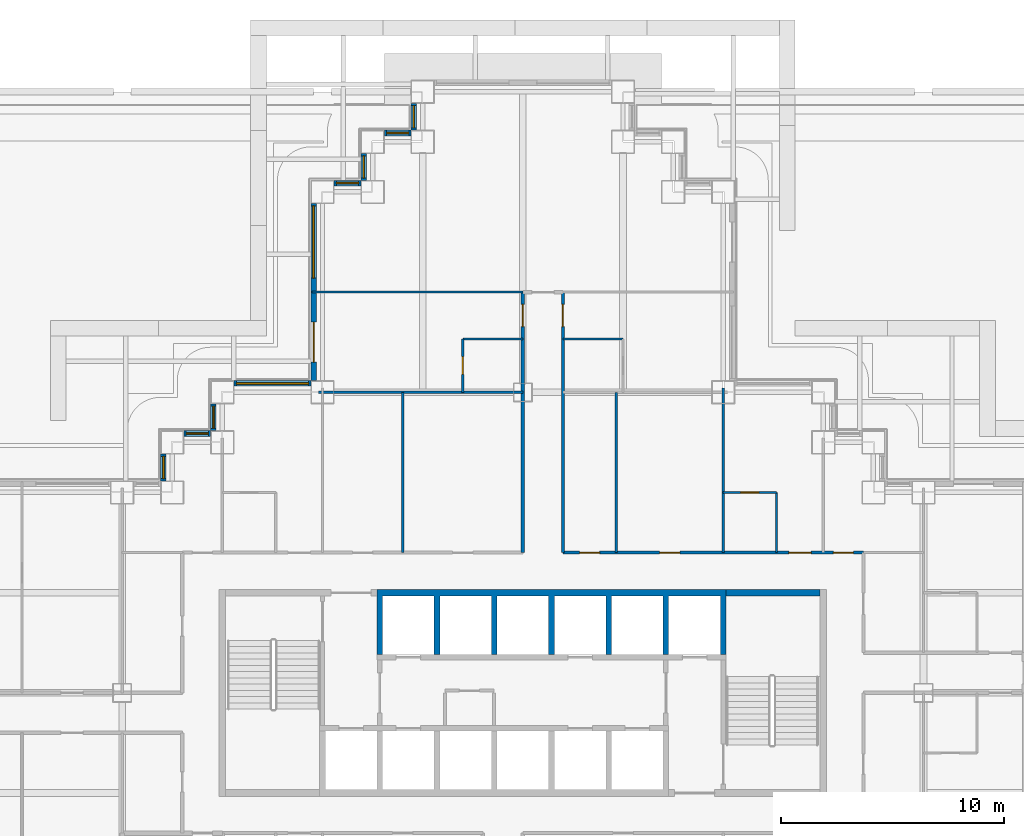
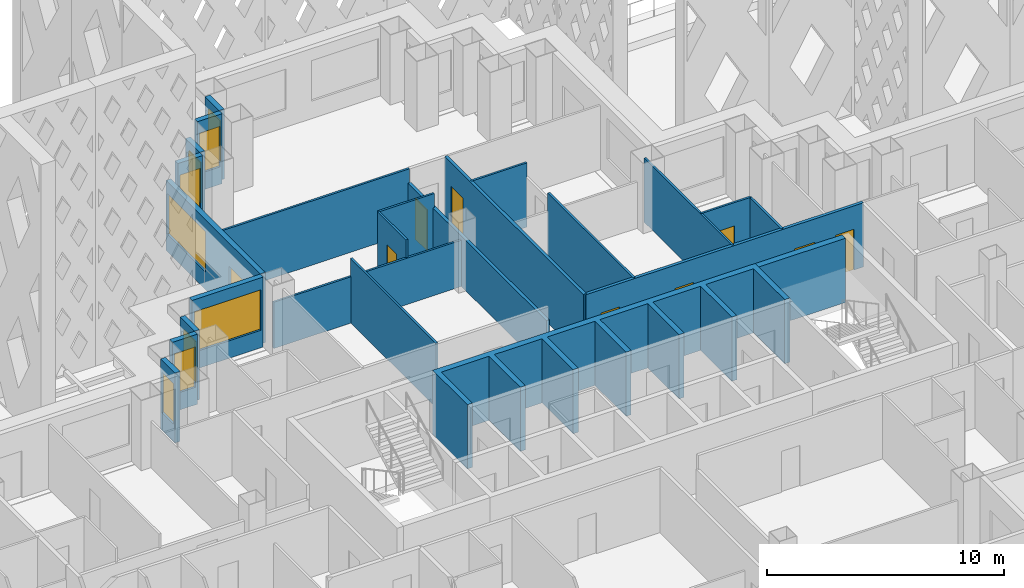
# One storey, part 8 of 26: 24 walls, 9 doors, 9 windows, 18 openings.
"""IFC4 building model written with IfcOpenShell, lengths in metres."""

from ifc_helpers import new_model, si_unit, direction, frame, frame_2d, origin, place, context, subcontext, project, spatial, polyline, rectangle, outline, extrude, material, layer, layer_set, type_object, element, fill, save


model = new_model("IFC4")

# Units and contexts
model_context = context("Model", 3, precision=1e-05, world=origin(), true_north=direction((0.0, 1.0)))
body_context = subcontext(model_context, "Body", "Model", "MODEL_VIEW")
ifc_project = project(units=[si_unit("LENGTHUNIT", "METRE"), si_unit("AREAUNIT", "SQUARE_METRE"), si_unit("VOLUMEUNIT", "CUBIC_METRE"), si_unit("PLANEANGLEUNIT", "RADIAN"), si_unit("MASSUNIT", "GRAM", prefix="KILO")], contexts=[model_context])

# Site, building, storey
site_placement = place(None, origin())
site = spatial("IfcSite", under=ifc_project, at=site_placement, CompositionType="ELEMENT")
building_placement = place(site_placement, origin())
building = spatial("IfcBuilding", under=site, at=building_placement, Name="Caravel Reach Hotel and Residences", CompositionType="ELEMENT")
storey_placement = place(building_placement, frame((0.0, 0.0, 33.60009765625)))
storey = spatial("IfcBuildingStorey", under=building, at=storey_placement, Name="L06", CompositionType="ELEMENT", Elevation=33.60009765625)

# Wall, opening, door
ifc_material_1 = material(Name="Gypsum board on steel stud", Category="steel")
ifc_layer_1 = layer(ifc_material_1, 0.10009765625)
ifc_layer_set_1 = layer_set([ifc_layer_1], Name="Bathroom pod wall 100 mm")
wall_type_1 = type_object("IfcWallType", Name="Bathroom pod wall 100 mm", PredefinedType="PARTITIONING", material=ifc_layer_set_1)
wall_1_placement = place(storey_placement, frame((40.5, 36.0, 0.0), z_axis=(0.0, 0.0, 1.0), x_axis=(1.0, 0.0, 0.0)))
wall_1 = element("IfcWall", 1, at=wall_1_placement, inside=storey, type_object=wall_type_1, Name="L06 wall w091", PredefinedType="PARTITIONING", context=body_context, shape_type="SweptSolid", body=[
    extrude(rectangle(XDim=2.39990234375, YDim=0.10009765625, at=frame_2d((1.199951171875, 0.0))), origin(), (0.0, 0.0, 1.0), 3.2998046875),
])
opening_1_placement = place(wall_1_placement, frame((0.800048828125, 0.0, 0.0)))
opening_1 = element("IfcOpeningElement", 2, at=opening_1_placement, cuts=wall_1, Name="Opening D06-047", PredefinedType="OPENING", context=body_context, shape_type="SweptSolid", body=[
    extrude(rectangle(XDim=0.800048828125, YDim=2.10009765625, at=frame_2d((0.39990234375, 1.050048828125))), frame((0.0, 0.06005859375, 0.0), z_axis=(0.0, -1.0, 0.0), x_axis=(1.0, 0.0, 0.0)), (0.0, 0.0, 1.0), 0.1201171875),
])
ifc_material_2 = material(Name="Timber and steel door leaf", Category="steel")
door_type_1 = type_object("IfcDoorType", Name="Bathroom door 800 x 2100", OperationType="SINGLE_SWING_LEFT", PredefinedType="DOOR", material=ifc_material_2)
door_1_placement = place(opening_1_placement, origin())
door_1 = element("IfcDoor", 3, at=door_1_placement, inside=storey, type_object=door_type_1, Name="door D06-047", OperationType="SINGLE_SWING_LEFT", OverallHeight=2.10009765625, OverallWidth=0.800048828125, PredefinedType="DOOR", context=body_context, shape_type="SweptSolid", body=[
    extrude(rectangle(XDim=0.800048828125, YDim=2.10009765625, at=frame_2d((0.39990234375, 1.050048828125))), frame((0.0, 0.02490234375, 0.0), z_axis=(0.0, -1.0, 0.0), x_axis=(1.0, 0.0, 0.0)), (0.0, 0.0, 1.0), 0.050048828125),
])
fill(opening_1, door_1)

# Walls
for number, where, z_axis, x_axis, name in (
    (4, (33.300048828125, 42.89990234375, 0.0), (0.0, 0.0, 1.0), (1.0, 0.0, 0.0), "L06 wall w092"),
    (5, (28.800048828125, 42.89990234375, 0.0), (0.0, 0.0, 1.0), (1.0, 0.0, 0.0), "L06 wall w093"),
):
    element("IfcWall", number, at=place(storey_placement, frame(where, z_axis=z_axis, x_axis=x_axis)), inside=storey, type_object=wall_type_1, Name=name, PredefinedType="PARTITIONING", context=body_context, shape_type="SweptSolid", body=[
        extrude(rectangle(XDim=2.699951171875, YDim=0.10009765625, at=frame_2d((1.35009765625, 0.0))), origin(), (0.0, 0.0, 1.0), 3.2998046875),
    ])

# Wall, opening, door
wall_2_placement = place(storey_placement, frame((28.800048828125, 40.5, 0.0), z_axis=(0.0, 0.0, 1.0), x_axis=(0.0, 1.0, 0.0)))
wall_2 = element("IfcWall", 6, at=wall_2_placement, inside=storey, type_object=wall_type_1, Name="L06 wall w102", PredefinedType="PARTITIONING", context=body_context, shape_type="SweptSolid", body=[
    extrude(rectangle(XDim=2.39990234375, YDim=0.10009765625, at=frame_2d((1.199951171875, 0.0))), origin(), (0.0, 0.0, 1.0), 3.2998046875),
])
opening_2_placement = place(wall_2_placement, frame((0.800048828125, 0.0, 0.0)))
opening_2 = element("IfcOpeningElement", 7, at=opening_2_placement, cuts=wall_2, Name="Opening D06-026", PredefinedType="OPENING", context=body_context, shape_type="SweptSolid", body=[
    extrude(rectangle(XDim=0.800048828125, YDim=2.10009765625, at=frame_2d((0.39990234375, 1.050048828125))), frame((0.0, 0.06005859375, 0.0), z_axis=(0.0, -1.0, 0.0), x_axis=(1.0, 0.0, 0.0)), (0.0, 0.0, 1.0), 0.1201171875),
])
door_2_placement = place(opening_2_placement, origin())
door_2 = element("IfcDoor", 8, at=door_2_placement, inside=storey, type_object=door_type_1, Name="door D06-026", OperationType="SINGLE_SWING_RIGHT", OverallHeight=2.10009765625, OverallWidth=0.800048828125, PredefinedType="DOOR", context=body_context, shape_type="SweptSolid", body=[
    extrude(rectangle(XDim=0.800048828125, YDim=2.10009765625, at=frame_2d((0.39990234375, 1.050048828125))), frame((0.0, 0.02490234375, 0.0), z_axis=(0.0, -1.0, 0.0), x_axis=(1.0, 0.0, 0.0)), (0.0, 0.0, 1.0), 0.050048828125),
])
fill(opening_2, door_2)

# Walls
wall_3_placement = place(storey_placement, frame((42.89990234375, 33.300048828125, 0.0), z_axis=(0.0, 0.0, 1.0), x_axis=(0.0, 1.0, 0.0)))
element("IfcWall", 9, at=wall_3_placement, inside=storey, type_object=wall_type_1, Name="L06 wall w107", PredefinedType="PARTITIONING", context=body_context, shape_type="SweptSolid", body=[
    extrude(rectangle(XDim=2.699951171875, YDim=0.10009765625, at=frame_2d((1.35009765625, 0.0))), origin(), (0.0, 0.0, 1.0), 3.2998046875),
])
ifc_material_3 = material(Name="Concrete C60", Category="concrete")
ifc_layer_2 = layer(ifc_material_3, 0.300048828125)
ifc_layer_set_2 = layer_set([ifc_layer_2], Name="Core wall 300 mm EI 120")
wall_type_2 = type_object("IfcWallType", Name="Core wall 300 mm EI 120", PredefinedType="SHEAR", material=ifc_layer_set_2)
wall_4_placement = place(storey_placement, frame((40.625, 31.5, 0.0), z_axis=(0.0, 0.0, 1.0), x_axis=(1.0, 0.0, 0.0)))
element("IfcWall", 10, at=wall_4_placement, inside=storey, type_object=wall_type_2, Name="L06 core wall N2", PredefinedType="SHEAR", context=body_context, shape_type="SweptSolid", body=[
    extrude(rectangle(XDim=4.22509765625, YDim=0.300048828125, at=frame_2d((2.112548828125, 0.0))), origin(), (0.0, 0.0, 1.0), 3.2998046875),
])

# Wall, openings, doors
ifc_material_4 = material(Name="Gypsum board on steel stud, fire-rated", Category="steel")
ifc_layer_3 = layer(ifc_material_4, 0.14990234375)
ifc_layer_set_3 = layer_set([ifc_layer_3], Name="Corridor wall 150 mm EI 60")
wall_type_3 = type_object("IfcWallType", Name="Corridor wall 150 mm EI 60", PredefinedType="PARTITIONING", material=ifc_layer_set_3)
wall_5_placement = place(storey_placement, frame((33.300048828125, 33.300048828125, 0.0), z_axis=(0.0, 0.0, 1.0), x_axis=(1.0, 0.0, 0.0)))
wall_5 = element("IfcWall", 11, at=wall_5_placement, inside=storey, type_object=wall_type_3, Name="L06 wall w020", PredefinedType="PARTITIONING", context=body_context, shape_type="SweptSolid", body=[
    extrude(rectangle(XDim=13.5, YDim=0.14990234375, at=frame_2d((6.75, 0.0))), origin(), (0.0, 0.0, 1.0), 3.2998046875),
])
opening_3_placement = place(wall_5_placement, frame((10.14990234375, 0.0, 0.0)))
opening_3 = element("IfcOpeningElement", 12, at=opening_3_placement, cuts=wall_5, Name="Opening D06-046", PredefinedType="OPENING", context=body_context, shape_type="SweptSolid", body=[
    extrude(rectangle(XDim=1.0, YDim=2.10009765625, at=frame_2d((0.5, 1.050048828125))), frame((0.0, 0.0849609375, 0.0), z_axis=(0.0, -1.0, 0.0), x_axis=(1.0, 0.0, 0.0)), (0.0, 0.0, 1.0), 0.169921875),
])
opening_4_placement = place(wall_5_placement, frame((12.14990234375, 0.0, 0.0)))
opening_4 = element("IfcOpeningElement", 13, at=opening_4_placement, cuts=wall_5, Name="Opening D06-048", PredefinedType="OPENING", context=body_context, shape_type="SweptSolid", body=[
    extrude(rectangle(XDim=0.89990234375, YDim=2.10009765625, at=frame_2d((0.449951171875, 1.050048828125))), frame((0.0, 0.0849609375, 0.0), z_axis=(0.0, -1.0, 0.0), x_axis=(1.0, 0.0, 0.0)), (0.0, 0.0, 1.0), 0.169921875),
])
opening_5_placement = place(wall_5_placement, frame((0.75, 0.0, 0.0)))
opening_5 = element("IfcOpeningElement", 14, at=opening_5_placement, cuts=wall_5, Name="Opening D06-057", PredefinedType="OPENING", context=body_context, shape_type="SweptSolid", body=[
    extrude(rectangle(XDim=0.89990234375, YDim=2.10009765625, at=frame_2d((0.449951171875, 1.050048828125))), frame((0.0, 0.0849609375, 0.0), z_axis=(0.0, -1.0, 0.0), x_axis=(1.0, 0.0, 0.0)), (0.0, 0.0, 1.0), 0.169921875),
])
opening_6_placement = place(wall_5_placement, frame((4.349853515625, 0.0, 0.0)))
opening_6 = element("IfcOpeningElement", 15, at=opening_6_placement, cuts=wall_5, Name="Opening D06-058", PredefinedType="OPENING", context=body_context, shape_type="SweptSolid", body=[
    extrude(rectangle(XDim=0.89990234375, YDim=2.10009765625, at=frame_2d((0.449951171875, 1.050048828125))), frame((0.0, 0.0849609375, 0.0), z_axis=(0.0, -1.0, 0.0), x_axis=(1.0, 0.0, 0.0)), (0.0, 0.0, 1.0), 0.169921875),
])
ifc_material_5 = material(Name="Timber and steel door leaf", Category="steel")
door_type_2 = type_object("IfcDoorType", Name="Door 900 x 2100 timber", OperationType="SINGLE_SWING_LEFT", PredefinedType="DOOR", material=ifc_material_5)
door_3_placement = place(opening_4_placement, origin())
door_3 = element("IfcDoor", 16, at=door_3_placement, inside=storey, type_object=door_type_2, Name="door D06-048", OperationType="SINGLE_SWING_LEFT", OverallHeight=2.10009765625, OverallWidth=0.89990234375, PredefinedType="DOOR", context=body_context, shape_type="SweptSolid", body=[
    extrude(rectangle(XDim=0.89990234375, YDim=2.10009765625, at=frame_2d((0.449951171875, 1.050048828125))), frame((0.0, 0.02490234375, 0.0), z_axis=(0.0, -1.0, 0.0), x_axis=(1.0, 0.0, 0.0)), (0.0, 0.0, 1.0), 0.050048828125),
])
fill(opening_4, door_3)
door_4_placement = place(opening_5_placement, origin())
door_4 = element("IfcDoor", 17, at=door_4_placement, inside=storey, type_object=door_type_2, Name="door D06-057", OperationType="SINGLE_SWING_RIGHT", OverallHeight=2.10009765625, OverallWidth=0.89990234375, PredefinedType="DOOR", context=body_context, shape_type="SweptSolid", body=[
    extrude(rectangle(XDim=0.89990234375, YDim=2.10009765625, at=frame_2d((0.449951171875, 1.050048828125))), frame((0.0, 0.02490234375, 0.0), z_axis=(0.0, -1.0, 0.0), x_axis=(1.0, 0.0, 0.0)), (0.0, 0.0, 1.0), 0.050048828125),
])
fill(opening_5, door_4)
door_5_placement = place(opening_6_placement, origin())
door_5 = element("IfcDoor", 18, at=door_5_placement, inside=storey, type_object=door_type_2, Name="door D06-058", OperationType="SINGLE_SWING_LEFT", OverallHeight=2.10009765625, OverallWidth=0.89990234375, PredefinedType="DOOR", context=body_context, shape_type="SweptSolid", body=[
    extrude(rectangle(XDim=0.89990234375, YDim=2.10009765625, at=frame_2d((0.449951171875, 1.050048828125))), frame((0.0, 0.02490234375, 0.0), z_axis=(0.0, -1.0, 0.0), x_axis=(1.0, 0.0, 0.0)), (0.0, 0.0, 1.0), 0.050048828125),
])
fill(opening_6, door_5)
ifc_material_6 = material(Name="Steel fire door leaf", Category="steel")
door_type_3 = type_object("IfcDoorType", Name="Guest room door 1000 x 2100 EI 30", OperationType="SINGLE_SWING_LEFT", PredefinedType="DOOR", material=ifc_material_6)
door_6_placement = place(opening_3_placement, origin())
door_6 = element("IfcDoor", 19, at=door_6_placement, inside=storey, type_object=door_type_3, Name="door D06-046", OperationType="SINGLE_SWING_RIGHT", OverallHeight=2.10009765625, OverallWidth=1.0, PredefinedType="DOOR", context=body_context, shape_type="SweptSolid", body=[
    extrude(rectangle(XDim=1.0, YDim=2.10009765625, at=frame_2d((0.5, 1.050048828125))), frame((0.0, 0.02490234375, 0.0), z_axis=(0.0, -1.0, 0.0), x_axis=(1.0, 0.0, 0.0)), (0.0, 0.0, 1.0), 0.050048828125),
])
fill(opening_3, door_6)

# Wall, opening, door
wall_6_placement = place(storey_placement, frame((31.5, 33.300048828125, 0.0), z_axis=(0.0, 0.0, 1.0), x_axis=(0.0, 1.0, 0.0)))
wall_6 = element("IfcWall", 20, at=wall_6_placement, inside=storey, type_object=wall_type_3, Name="L06 wall w034", PredefinedType="PARTITIONING", context=body_context, shape_type="SweptSolid", body=[
    extrude(rectangle(XDim=11.699951171875, YDim=0.14990234375, at=frame_2d((5.85009765625, 0.0))), origin(), (0.0, 0.0, 1.0), 2.579833984375),
])
opening_7_placement = place(wall_6_placement, frame((10.14990234375, 0.0, 0.0)))
opening_7 = element("IfcOpeningElement", 21, at=opening_7_placement, cuts=wall_6, Name="Opening D06-025", PredefinedType="OPENING", context=body_context, shape_type="SweptSolid", body=[
    extrude(rectangle(XDim=1.0, YDim=2.10009765625, at=frame_2d((0.5, 1.050048828125))), frame((0.0, 0.0849609375, 0.0), z_axis=(0.0, -1.0, 0.0), x_axis=(1.0, 0.0, 0.0)), (0.0, 0.0, 1.0), 0.169921875),
])
door_7_placement = place(opening_7_placement, origin())
door_7 = element("IfcDoor", 22, at=door_7_placement, inside=storey, type_object=door_type_3, Name="door D06-025", OperationType="SINGLE_SWING_RIGHT", OverallHeight=2.10009765625, OverallWidth=1.0, PredefinedType="DOOR", context=body_context, shape_type="SweptSolid", body=[
    extrude(rectangle(XDim=1.0, YDim=2.10009765625, at=frame_2d((0.5, 1.050048828125))), frame((0.0, 0.02490234375, 0.0), z_axis=(0.0, -1.0, 0.0), x_axis=(1.0, 0.0, 0.0)), (0.0, 0.0, 1.0), 0.050048828125),
])
fill(opening_7, door_7)

wall_7_placement = place(storey_placement, frame((33.300048828125, 33.300048828125, 0.0), z_axis=(0.0, 0.0, 1.0), x_axis=(0.0, 1.0, 0.0)))
wall_7 = element("IfcWall", 23, at=wall_7_placement, inside=storey, type_object=wall_type_3, Name="L06 wall w037", PredefinedType="PARTITIONING", context=body_context, shape_type="SweptSolid", body=[
    extrude(rectangle(XDim=11.699951171875, YDim=0.14990234375, at=frame_2d((5.85009765625, 0.0))), origin(), (0.0, 0.0, 1.0), 3.2998046875),
])
opening_8_placement = place(wall_7_placement, frame((10.14990234375, 0.0, 0.0)))
opening_8 = element("IfcOpeningElement", 24, at=opening_8_placement, cuts=wall_7, Name="Opening D06-027", PredefinedType="OPENING", context=body_context, shape_type="SweptSolid", body=[
    extrude(rectangle(XDim=1.0, YDim=2.10009765625, at=frame_2d((0.5, 1.050048828125))), frame((0.0, 0.0849609375, 0.0), z_axis=(0.0, -1.0, 0.0), x_axis=(1.0, 0.0, 0.0)), (0.0, 0.0, 1.0), 0.169921875),
])
door_8_placement = place(opening_8_placement, origin())
door_8 = element("IfcDoor", 25, at=door_8_placement, inside=storey, type_object=door_type_3, Name="door D06-027", OperationType="SINGLE_SWING_RIGHT", OverallHeight=2.10009765625, OverallWidth=1.0, PredefinedType="DOOR", context=body_context, shape_type="SweptSolid", body=[
    extrude(rectangle(XDim=1.0, YDim=2.10009765625, at=frame_2d((0.5, 1.050048828125))), frame((0.0, 0.02490234375, 0.0), z_axis=(0.0, -1.0, 0.0), x_axis=(1.0, 0.0, 0.0)), (0.0, 0.0, 1.0), 0.050048828125),
])
fill(opening_8, door_8)

# Wall, opening, window
ifc_material_7 = material(Name="Insulated rainscreen wall, aluminium cladding", Category="aluminium")
ifc_layer_4 = layer(ifc_material_7, 0.25)
ifc_layer_set_4 = layer_set([ifc_layer_4], Name="EW1 Tower rainscreen wall")
wall_type_4 = type_object("IfcWallType", Name="EW1 Tower rainscreen wall", PredefinedType="SOLIDWALL", material=ifc_layer_set_4)
wall_8_placement = place(storey_placement, frame((26.60009765625, 53.47509765625, 0.0), z_axis=(0.0, 0.0, 1.0), x_axis=(0.0, -1.0, 0.0)))
wall_8 = element("IfcWall", 26, at=wall_8_placement, inside=storey, type_object=wall_type_4, Name="External wall L06 W36.1", PredefinedType="SOLIDWALL", context=body_context, shape_type="SweptSolid", body=[
    extrude(rectangle(XDim=1.2001953125, YDim=0.25, at=frame_2d((0.60009765625, 0.0))), origin(), (0.0, 0.0, 1.0), 3.599853515625),
])
opening_9_placement = place(wall_8_placement, frame((0.10009765625, 0.0, 0.89990234375)))
opening_9 = element("IfcOpeningElement", 27, at=opening_9_placement, cuts=wall_8, Name="Opening WN1", PredefinedType="OPENING", context=body_context, shape_type="SweptSolid", body=[
    extrude(rectangle(XDim=1.0, YDim=2.080078125, at=frame_2d((0.5, 1.0400390625))), frame((0.0, 0.135009765625, 0.0), z_axis=(0.0, -1.0, 0.0), x_axis=(1.0, 0.0, 0.0)), (0.0, 0.0, 1.0), 0.27001953125),
])
ifc_material_8 = material(Name="Dark low-e glazing in black aluminium frame", Category="aluminium")
window_type_1 = type_object("IfcWindowType", Name="Hotel suite corner window 1000 x 2080", PartitioningType="SINGLE_PANEL", PredefinedType="WINDOW", material=ifc_material_8)
window_1_placement = place(opening_9_placement, origin())
window_1 = element("IfcWindow", 28, at=window_1_placement, inside=storey, type_object=window_type_1, Name="Window L06 W36.1.1", OverallHeight=2.080078125, OverallWidth=1.0, PartitioningType="SINGLE_PANEL", PredefinedType="WINDOW", context=body_context, shape_type="SweptSolid", body=[
    extrude(rectangle(XDim=1.0, YDim=2.080078125, at=frame_2d((0.5, 1.0400390625))), frame((0.0, 0.030029296875, 0.0), z_axis=(0.0, -1.0, 0.0), x_axis=(1.0, 0.0, 0.0)), (0.0, 0.0, 1.0), 0.06005859375),
])
fill(opening_9, window_1)

wall_9_placement = place(storey_placement, frame((26.47509765625, 52.14990234375, 0.0), z_axis=(0.0, 0.0, 1.0), x_axis=(-1.0, 0.0, 0.0)))
wall_9 = element("IfcWall", 29, at=wall_9_placement, inside=storey, type_object=wall_type_4, Name="External wall L06 N37.1", PredefinedType="SOLIDWALL", context=body_context, shape_type="SweptSolid", body=[
    extrude(rectangle(XDim=1.2001953125, YDim=0.25, at=frame_2d((0.60009765625, 0.0))), origin(), (0.0, 0.0, 1.0), 3.599853515625),
])
opening_10_placement = place(wall_9_placement, frame((0.10009765625, 0.0, 0.89990234375)))
opening_10 = element("IfcOpeningElement", 30, at=opening_10_placement, cuts=wall_9, Name="Opening WN1", PredefinedType="OPENING", context=body_context, shape_type="SweptSolid", body=[
    extrude(rectangle(XDim=1.0, YDim=2.080078125, at=frame_2d((0.5, 1.0400390625))), frame((0.0, 0.135009765625, 0.0), z_axis=(0.0, -1.0, 0.0), x_axis=(1.0, 0.0, 0.0)), (0.0, 0.0, 1.0), 0.27001953125),
])
window_2_placement = place(opening_10_placement, origin())
window_2 = element("IfcWindow", 31, at=window_2_placement, inside=storey, type_object=window_type_1, Name="Window L06 N37.1.1", OverallHeight=2.080078125, OverallWidth=1.0, PartitioningType="SINGLE_PANEL", PredefinedType="WINDOW", context=body_context, shape_type="SweptSolid", body=[
    extrude(rectangle(XDim=1.0, YDim=2.080078125, at=frame_2d((0.5, 1.0400390625))), frame((0.0, 0.030029296875, 0.0), z_axis=(0.0, -1.0, 0.0), x_axis=(1.0, 0.0, 0.0)), (0.0, 0.0, 1.0), 0.06005859375),
])
fill(opening_10, window_2)

wall_10_placement = place(storey_placement, frame((24.35009765625, 51.22509765625, 0.0), z_axis=(0.0, 0.0, 1.0), x_axis=(0.0, -1.0, 0.0)))
wall_10 = element("IfcWall", 32, at=wall_10_placement, inside=storey, type_object=wall_type_4, Name="External wall L06 W38.1", PredefinedType="SOLIDWALL", context=body_context, shape_type="SweptSolid", body=[
    extrude(rectangle(XDim=1.2001953125, YDim=0.25, at=frame_2d((0.60009765625, 0.0))), origin(), (0.0, 0.0, 1.0), 3.599853515625),
])
opening_11_placement = place(wall_10_placement, frame((0.10009765625, 0.0, 0.89990234375)))
opening_11 = element("IfcOpeningElement", 33, at=opening_11_placement, cuts=wall_10, Name="Opening WN1", PredefinedType="OPENING", context=body_context, shape_type="SweptSolid", body=[
    extrude(rectangle(XDim=1.0, YDim=2.080078125, at=frame_2d((0.5, 1.0400390625))), frame((0.0, 0.135009765625, 0.0), z_axis=(0.0, -1.0, 0.0), x_axis=(1.0, 0.0, 0.0)), (0.0, 0.0, 1.0), 0.27001953125),
])
window_3_placement = place(opening_11_placement, origin())
window_3 = element("IfcWindow", 34, at=window_3_placement, inside=storey, type_object=window_type_1, Name="Window L06 W38.1.1", OverallHeight=2.080078125, OverallWidth=1.0, PartitioningType="SINGLE_PANEL", PredefinedType="WINDOW", context=body_context, shape_type="SweptSolid", body=[
    extrude(rectangle(XDim=1.0, YDim=2.080078125, at=frame_2d((0.5, 1.0400390625))), frame((0.0, 0.030029296875, 0.0), z_axis=(0.0, -1.0, 0.0), x_axis=(1.0, 0.0, 0.0)), (0.0, 0.0, 1.0), 0.06005859375),
])
fill(opening_11, window_3)

wall_11_placement = place(storey_placement, frame((24.22509765625, 49.89990234375, 0.0), z_axis=(0.0, 0.0, 1.0), x_axis=(-1.0, 0.0, 0.0)))
wall_11 = element("IfcWall", 35, at=wall_11_placement, inside=storey, type_object=wall_type_4, Name="External wall L06 N39.1", PredefinedType="SOLIDWALL", context=body_context, shape_type="SweptSolid", body=[
    extrude(rectangle(XDim=1.2001953125, YDim=0.25, at=frame_2d((0.60009765625, 0.0))), origin(), (0.0, 0.0, 1.0), 3.599853515625),
])
opening_12_placement = place(wall_11_placement, frame((0.10009765625, 0.0, 0.89990234375)))
opening_12 = element("IfcOpeningElement", 36, at=opening_12_placement, cuts=wall_11, Name="Opening WN1", PredefinedType="OPENING", context=body_context, shape_type="SweptSolid", body=[
    extrude(rectangle(XDim=1.0, YDim=2.080078125, at=frame_2d((0.5, 1.0400390625))), frame((0.0, 0.135009765625, 0.0), z_axis=(0.0, -1.0, 0.0), x_axis=(1.0, 0.0, 0.0)), (0.0, 0.0, 1.0), 0.27001953125),
])
window_4_placement = place(opening_12_placement, origin())
window_4 = element("IfcWindow", 37, at=window_4_placement, inside=storey, type_object=window_type_1, Name="Window L06 N39.1.1", OverallHeight=2.080078125, OverallWidth=1.0, PartitioningType="SINGLE_PANEL", PredefinedType="WINDOW", context=body_context, shape_type="SweptSolid", body=[
    extrude(rectangle(XDim=1.0, YDim=2.080078125, at=frame_2d((0.5, 1.0400390625))), frame((0.0, 0.030029296875, 0.0), z_axis=(0.0, -1.0, 0.0), x_axis=(1.0, 0.0, 0.0)), (0.0, 0.0, 1.0), 0.06005859375),
])
fill(opening_12, window_4)

# Wall, openings, window, door
wall_12_placement = place(storey_placement, frame((22.10009765625, 48.97509765625, 0.0), z_axis=(0.0, 0.0, 1.0), x_axis=(0.0, -1.0, 0.0)))
wall_12 = element("IfcWall", 38, at=wall_12_placement, inside=storey, type_object=wall_type_4, Name="External wall L06 W40.1", PredefinedType="SOLIDWALL", context=body_context, shape_type="SweptSolid", body=[
    extrude(rectangle(XDim=7.9501953125, YDim=0.25, at=frame_2d((3.97509765625, 0.0))), origin(), (0.0, 0.0, 1.0), 3.599853515625),
])
opening_13_placement = place(wall_12_placement, frame((0.10009765625, 0.0, 0.89990234375)))
opening_13 = element("IfcOpeningElement", 39, at=opening_13_placement, cuts=wall_12, Name="Opening WN2", PredefinedType="OPENING", context=body_context, shape_type="SweptSolid", body=[
    extrude(rectangle(XDim=3.25, YDim=2.080078125, at=frame_2d((1.625, 1.0400390625))), frame((0.0, 0.135009765625, 0.0), z_axis=(0.0, -1.0, 0.0), x_axis=(1.0, 0.0, 0.0)), (0.0, 0.0, 1.0), 0.27001953125),
])
opening_14_placement = place(wall_12_placement, frame((5.324951171875, 0.0, 0.0)))
opening_14 = element("IfcOpeningElement", 40, at=opening_14_placement, cuts=wall_12, Name="Opening D06-806", PredefinedType="OPENING", context=body_context, shape_type="SweptSolid", body=[
    extrude(rectangle(XDim=1.800048828125, YDim=2.39990234375, at=frame_2d((0.89990234375, 1.199951171875))), frame((0.0, 0.135009765625, 0.0), z_axis=(0.0, -1.0, 0.0), x_axis=(1.0, 0.0, 0.0)), (0.0, 0.0, 1.0), 0.27001953125),
])
ifc_material_9 = material(Name="Dark low-e glazing in black aluminium frame", Category="aluminium")
window_type_2 = type_object("IfcWindowType", Name="Hotel guest room window 3250 x 2080", PartitioningType="SINGLE_PANEL", PredefinedType="WINDOW", material=ifc_material_9)
window_5_placement = place(opening_13_placement, origin())
window_5 = element("IfcWindow", 41, at=window_5_placement, inside=storey, type_object=window_type_2, Name="Window L06 W40.1.1", OverallHeight=2.080078125, OverallWidth=3.25, PartitioningType="SINGLE_PANEL", PredefinedType="WINDOW", context=body_context, shape_type="SweptSolid", body=[
    extrude(rectangle(XDim=3.25, YDim=2.080078125, at=frame_2d((1.625, 1.0400390625))), frame((0.0, 0.030029296875, 0.0), z_axis=(0.0, -1.0, 0.0), x_axis=(1.0, 0.0, 0.0)), (0.0, 0.0, 1.0), 0.06005859375),
])
fill(opening_13, window_5)
ifc_material_10 = material(Name="Dark glazed door in black aluminium frame", Category="aluminium")
door_type_4 = type_object("IfcDoorType", Name="Terrace door 1800 x 2400", OperationType="DOUBLE_DOOR_SINGLE_SWING", PredefinedType="DOOR", material=ifc_material_10)
door_9_placement = place(opening_14_placement, origin())
door_9 = element("IfcDoor", 42, at=door_9_placement, inside=storey, type_object=door_type_4, Name="Door D06-806", OperationType="DOUBLE_DOOR_SINGLE_SWING", OverallHeight=2.39990234375, OverallWidth=1.800048828125, PredefinedType="DOOR", context=body_context, shape_type="SweptSolid", body=[
    extrude(rectangle(XDim=1.800048828125, YDim=2.39990234375, at=frame_2d((0.89990234375, 1.199951171875))), frame((0.0, 0.02490234375, 0.0), z_axis=(0.0, -1.0, 0.0), x_axis=(1.0, 0.0, 0.0)), (0.0, 0.0, 1.0), 0.050048828125),
])
fill(opening_14, door_9)

# Wall, opening, window
wall_13_placement = place(storey_placement, frame((21.97509765625, 40.89990234375, 0.0), z_axis=(0.0, 0.0, 1.0), x_axis=(-1.0, 0.0, 0.0)))
wall_13 = element("IfcWall", 43, at=wall_13_placement, inside=storey, type_object=wall_type_4, Name="External wall L06 N41.1", PredefinedType="SOLIDWALL", context=body_context, shape_type="SweptSolid", body=[
    extrude(rectangle(XDim=3.4501953125, YDim=0.25, at=frame_2d((1.72509765625, 0.0))), origin(), (0.0, 0.0, 1.0), 3.599853515625),
])
opening_15_placement = place(wall_13_placement, frame((0.10009765625, 0.0, 0.89990234375)))
opening_15 = element("IfcOpeningElement", 44, at=opening_15_placement, cuts=wall_13, Name="Opening WN2", PredefinedType="OPENING", context=body_context, shape_type="SweptSolid", body=[
    extrude(rectangle(XDim=3.25, YDim=2.080078125, at=frame_2d((1.625, 1.0400390625))), frame((0.0, 0.135009765625, 0.0), z_axis=(0.0, -1.0, 0.0), x_axis=(1.0, 0.0, 0.0)), (0.0, 0.0, 1.0), 0.27001953125),
])
window_6_placement = place(opening_15_placement, origin())
window_6 = element("IfcWindow", 45, at=window_6_placement, inside=storey, type_object=window_type_2, Name="Window L06 N41.1.1", OverallHeight=2.080078125, OverallWidth=3.25, PartitioningType="SINGLE_PANEL", PredefinedType="WINDOW", context=body_context, shape_type="SweptSolid", body=[
    extrude(rectangle(XDim=3.25, YDim=2.080078125, at=frame_2d((1.625, 1.0400390625))), frame((0.0, 0.030029296875, 0.0), z_axis=(0.0, -1.0, 0.0), x_axis=(1.0, 0.0, 0.0)), (0.0, 0.0, 1.0), 0.06005859375),
])
fill(opening_15, window_6)

wall_14_placement = place(storey_placement, frame((17.60009765625, 39.97509765625, 0.0), z_axis=(0.0, 0.0, 1.0), x_axis=(0.0, -1.0, 0.0)))
wall_14 = element("IfcWall", 46, at=wall_14_placement, inside=storey, type_object=wall_type_4, Name="External wall L06 W42.1", PredefinedType="SOLIDWALL", context=body_context, shape_type="SweptSolid", body=[
    extrude(rectangle(XDim=1.2001953125, YDim=0.25, at=frame_2d((0.60009765625, 0.0))), origin(), (0.0, 0.0, 1.0), 3.599853515625),
])
opening_16_placement = place(wall_14_placement, frame((0.10009765625, 0.0, 0.89990234375)))
opening_16 = element("IfcOpeningElement", 47, at=opening_16_placement, cuts=wall_14, Name="Opening WN1", PredefinedType="OPENING", context=body_context, shape_type="SweptSolid", body=[
    extrude(rectangle(XDim=1.0, YDim=2.080078125, at=frame_2d((0.5, 1.0400390625))), frame((0.0, 0.135009765625, 0.0), z_axis=(0.0, -1.0, 0.0), x_axis=(1.0, 0.0, 0.0)), (0.0, 0.0, 1.0), 0.27001953125),
])
window_7_placement = place(opening_16_placement, origin())
window_7 = element("IfcWindow", 48, at=window_7_placement, inside=storey, type_object=window_type_1, Name="Window L06 W42.1.1", OverallHeight=2.080078125, OverallWidth=1.0, PartitioningType="SINGLE_PANEL", PredefinedType="WINDOW", context=body_context, shape_type="SweptSolid", body=[
    extrude(rectangle(XDim=1.0, YDim=2.080078125, at=frame_2d((0.5, 1.0400390625))), frame((0.0, 0.030029296875, 0.0), z_axis=(0.0, -1.0, 0.0), x_axis=(1.0, 0.0, 0.0)), (0.0, 0.0, 1.0), 0.06005859375),
])
fill(opening_16, window_7)

wall_15_placement = place(storey_placement, frame((17.47509765625, 38.64990234375, 0.0), z_axis=(0.0, 0.0, 1.0), x_axis=(-1.0, 0.0, 0.0)))
wall_15 = element("IfcWall", 49, at=wall_15_placement, inside=storey, type_object=wall_type_4, Name="External wall L06 N43.1", PredefinedType="SOLIDWALL", context=body_context, shape_type="SweptSolid", body=[
    extrude(rectangle(XDim=1.2001953125, YDim=0.25, at=frame_2d((0.60009765625, 0.0))), origin(), (0.0, 0.0, 1.0), 3.599853515625),
])
opening_17_placement = place(wall_15_placement, frame((0.10009765625, 0.0, 0.89990234375)))
opening_17 = element("IfcOpeningElement", 50, at=opening_17_placement, cuts=wall_15, Name="Opening WN1", PredefinedType="OPENING", context=body_context, shape_type="SweptSolid", body=[
    extrude(rectangle(XDim=1.0, YDim=2.080078125, at=frame_2d((0.5, 1.0400390625))), frame((0.0, 0.135009765625, 0.0), z_axis=(0.0, -1.0, 0.0), x_axis=(1.0, 0.0, 0.0)), (0.0, 0.0, 1.0), 0.27001953125),
])
window_8_placement = place(opening_17_placement, origin())
window_8 = element("IfcWindow", 51, at=window_8_placement, inside=storey, type_object=window_type_1, Name="Window L06 N43.1.1", OverallHeight=2.080078125, OverallWidth=1.0, PartitioningType="SINGLE_PANEL", PredefinedType="WINDOW", context=body_context, shape_type="SweptSolid", body=[
    extrude(rectangle(XDim=1.0, YDim=2.080078125, at=frame_2d((0.5, 1.0400390625))), frame((0.0, 0.030029296875, 0.0), z_axis=(0.0, -1.0, 0.0), x_axis=(1.0, 0.0, 0.0)), (0.0, 0.0, 1.0), 0.06005859375),
])
fill(opening_17, window_8)

wall_16_placement = place(storey_placement, frame((15.35009765625, 37.72509765625, 0.0), z_axis=(0.0, 0.0, 1.0), x_axis=(0.0, -1.0, 0.0)))
wall_16 = element("IfcWall", 52, at=wall_16_placement, inside=storey, type_object=wall_type_4, Name="External wall L06 W44.1", PredefinedType="SOLIDWALL", context=body_context, shape_type="SweptSolid", body=[
    extrude(rectangle(XDim=1.2001953125, YDim=0.25, at=frame_2d((0.60009765625, 0.0))), origin(), (0.0, 0.0, 1.0), 3.599853515625),
])
opening_18_placement = place(wall_16_placement, frame((0.10009765625, 0.0, 0.89990234375)))
opening_18 = element("IfcOpeningElement", 53, at=opening_18_placement, cuts=wall_16, Name="Opening WN1", PredefinedType="OPENING", context=body_context, shape_type="SweptSolid", body=[
    extrude(rectangle(XDim=1.0, YDim=2.080078125, at=frame_2d((0.5, 1.0400390625))), frame((0.0, 0.135009765625, 0.0), z_axis=(0.0, -1.0, 0.0), x_axis=(1.0, 0.0, 0.0)), (0.0, 0.0, 1.0), 0.27001953125),
])
window_9_placement = place(opening_18_placement, origin())
window_9 = element("IfcWindow", 54, at=window_9_placement, inside=storey, type_object=window_type_1, Name="Window L06 W44.1.1", OverallHeight=2.080078125, OverallWidth=1.0, PartitioningType="SINGLE_PANEL", PredefinedType="WINDOW", context=body_context, shape_type="SweptSolid", body=[
    extrude(rectangle(XDim=1.0, YDim=2.080078125, at=frame_2d((0.5, 1.0400390625))), frame((0.0, 0.030029296875, 0.0), z_axis=(0.0, -1.0, 0.0), x_axis=(1.0, 0.0, 0.0)), (0.0, 0.0, 1.0), 0.06005859375),
])
fill(opening_18, window_9)

# Walls
ifc_material_11 = material(Name="Gypsum board on steel stud", Category="steel")
ifc_layer_5 = layer(ifc_material_11, 0.10009765625)
ifc_layer_set_5 = layer_set([ifc_layer_5], Name="Partition 100 mm")
wall_type_5 = type_object("IfcWallType", Name="Partition 100 mm", PredefinedType="PARTITIONING", material=ifc_layer_set_5)
wall_17_placement = place(storey_placement, frame((22.31005859375, 40.5, 0.0), z_axis=(0.0, 0.0, 1.0), x_axis=(1.0, 0.0, 0.0)))
element("IfcWall", 55, at=wall_17_placement, inside=storey, type_object=wall_type_5, Name="L06 wall w049", PredefinedType="PARTITIONING", context=body_context, shape_type="SweptSolid", body=[
    extrude(rectangle(XDim=9.18994140625, YDim=0.10009765625, at=frame_2d((4.594970703125, 0.0))), origin(), (0.0, 0.0, 1.0), 2.3798828125),
])
wall_18_placement = place(storey_placement, frame((22.034912109375, 45.0, 0.0), z_axis=(0.0, 0.0, 1.0), x_axis=(1.0, 0.0, 0.0)))
element("IfcWall", 56, at=wall_18_placement, inside=storey, type_object=wall_type_5, Name="L06 wall w052", PredefinedType="PARTITIONING", context=body_context, shape_type="SweptSolid", body=[
    extrude(rectangle(XDim=9.465087890625, YDim=0.10009765625, at=frame_2d((4.732421875, 0.0))), origin(), (0.0, 0.0, 1.0), 3.2998046875),
])
for number, where, z_axis, x_axis, name in (
    (57, (26.10009765625, 33.300048828125, 0.0), (0.0, 0.0, 1.0), (0.0, 1.0, 0.0), "L06 wall w059"),
    (58, (35.699951171875, 33.300048828125, 0.0), (0.0, 0.0, 1.0), (0.0, 1.0, 0.0), "L06 wall w060"),
):
    element("IfcWall", number, at=place(storey_placement, frame(where, z_axis=z_axis, x_axis=x_axis)), inside=storey, type_object=wall_type_5, Name=name, PredefinedType="PARTITIONING", context=body_context, shape_type="SweptSolid", body=[
        extrude(rectangle(XDim=7.199951171875, YDim=0.10009765625, at=frame_2d((3.60009765625, 0.0))), origin(), (0.0, 0.0, 1.0), 3.2998046875),
    ])
wall_19_placement = place(storey_placement, frame((40.5, 33.300048828125, 0.0), z_axis=(0.0, 0.0, 1.0), x_axis=(0.0, 1.0, 0.0)))
element("IfcWall", 59, at=wall_19_placement, inside=storey, type_object=wall_type_5, Name="L06 wall w061", PredefinedType="PARTITIONING", context=body_context, shape_type="SweptSolid", body=[
    extrude(rectangle(XDim=7.389892578125, YDim=0.10009765625, at=frame_2d((3.69482421875, 0.0))), origin(), (0.0, 0.0, 1.0), 3.2998046875),
])
ifc_material_12 = material(Name="Concrete C60", Category="concrete")
ifc_layer_6 = layer(ifc_material_12, 0.25)
ifc_layer_set_6 = layer_set([ifc_layer_6], Name="Shaft wall 250 mm EI 120")
wall_type_6 = type_object("IfcWallType", Name="Shaft wall 250 mm EI 120", PredefinedType="SHEAR", material=ifc_layer_set_6)
wall_20_placement = place(storey_placement, origin())
element("IfcWall", 60, at=wall_20_placement, inside=storey, type_object=wall_type_6, Name="L06 lift shaft wall N1", PredefinedType="SHEAR", context=body_context, shape_type="SweptSolid", body=[
    extrude(outline(polyline([(24.946533203125, 28.72509765625), (25.196533203125, 28.72509765625), (25.196533203125, 31.35009765625), (27.517822265625, 31.35009765625), (27.517822265625, 28.72509765625), (27.767822265625, 28.72509765625), (27.767822265625, 31.35009765625), (30.08935546875, 31.35009765625), (30.08935546875, 28.72509765625), (30.33935546875, 28.72509765625), (30.33935546875, 31.35009765625), (32.66064453125, 31.35009765625), (32.66064453125, 28.72509765625), (32.91064453125, 28.72509765625), (32.91064453125, 31.35009765625), (35.232177734375, 31.35009765625), (35.232177734375, 28.72509765625), (35.482177734375, 28.72509765625), (35.482177734375, 31.35009765625), (37.803466796875, 31.35009765625), (37.803466796875, 28.72509765625), (38.053466796875, 28.72509765625), (38.053466796875, 31.35009765625), (40.375, 31.35009765625), (40.375, 28.72509765625), (40.625, 28.72509765625), (40.625, 31.64990234375), (24.946533203125, 31.64990234375), (24.946533203125, 28.72509765625)])), origin(), (0.0, 0.0, 1.0), 3.2998046875),
])

save(model, "model.ifc")
